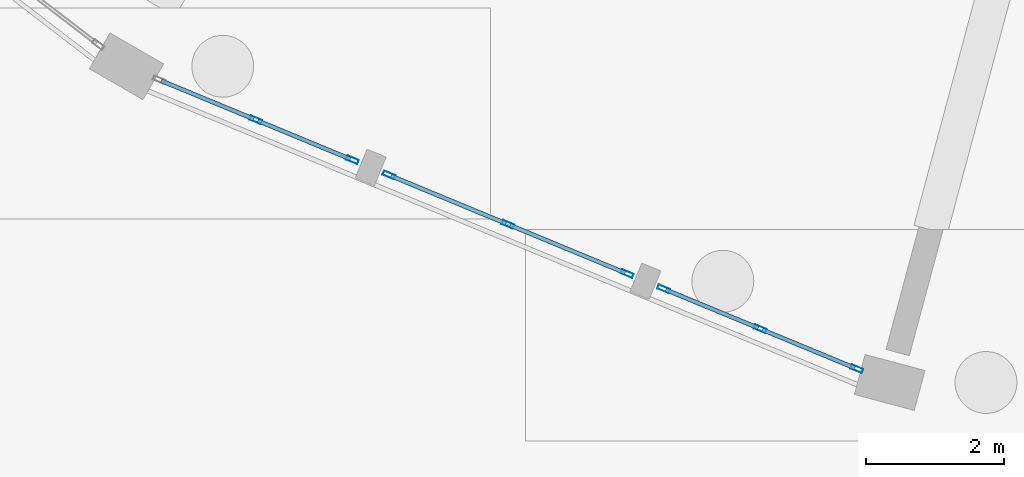
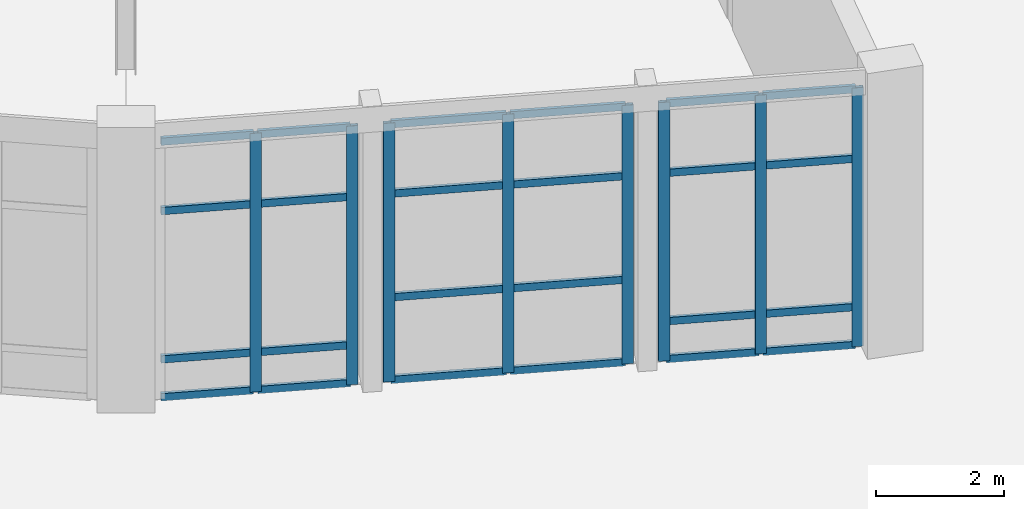
# One storey, part 36 of 137: 32 members, 3 elements without a shape of their own.
"""IFC4 building model written with IfcOpenShell, lengths in metres."""

from ifc_helpers import new_model, si_unit, direction, frame, origin, origin_2d, place, context, subcontext, project, spatial, hollow_rectangle, extrude, material, material_profile, profile_set, type_object, element, aggregate, save


model = new_model("IFC4")

# Units and contexts
model_context = context("Model", 3, precision=1e-05, world=origin(), true_north=direction((0.0, 1.0)))
body_context = subcontext(model_context, "Body", "Model", "MODEL_VIEW")
ifc_project = project(units=[si_unit("LENGTHUNIT", "METRE"), si_unit("AREAUNIT", "SQUARE_METRE"), si_unit("VOLUMEUNIT", "CUBIC_METRE"), si_unit("PLANEANGLEUNIT", "RADIAN"), si_unit("MASSUNIT", "GRAM", prefix="KILO")], contexts=[model_context])

# Site, building, storey
site_placement = place(None, origin())
site = spatial("IfcSite", under=ifc_project, at=site_placement, CompositionType="ELEMENT")
building_placement = place(site_placement, origin())
building = spatial("IfcBuilding", under=site, at=building_placement, Name="Vondelvale Polytechnic", CompositionType="ELEMENT")
storey_placement = place(building_placement, origin())
storey = spatial("IfcBuildingStorey", under=building, at=storey_placement, Name="L00", CompositionType="ELEMENT", Elevation=0.0)

# Curtain wall, members
ifc_material_1 = material(Name="Glulam GL18 structural Tasmanian oak (fb = 42 MPa)", Category="wood")
curtain_wall_type = type_object("IfcCurtainWallType", Name="CW-RING-OUTER", PredefinedType="NOTDEFINED", material=ifc_material_1)
curtain_wall_1_placement = place(storey_placement, origin())
curtain_wall_1 = element("IfcCurtainWall", 1, at=curtain_wall_1_placement, inside=storey, type_object=curtain_wall_type, Name="L00 architectural curtain wall CW-04-326", PredefinedType="NOTDEFINED")
ifc_material_2 = material(Name="Anodised extruded aluminium 6063-T6", Category="aluminium")
ifc_material_profile_1 = material_profile(ifc_material_2, hollow_rectangle(XDim=0.06494140625, YDim=0.179931640625, WallThickness=0.00390625, at=origin_2d()), Name="CW-MUL-180x65")
ifc_profile_set_1 = profile_set([ifc_material_profile_1], Name="Anodised extruded aluminium 6063-T6")
member_type_1 = type_object("IfcMemberType", Name="CW-MUL-65x180", PredefinedType="MULLION", material=ifc_profile_set_1)
member_1_placement = place(storey_placement, frame((80.880859375, 31.3837890625, 0.0), z_axis=(0.0, 0.0, 1.0), x_axis=(0.382679040691, 0.92388135159, 0.0)))
member_1 = element("IfcMember", 2, at=member_1_placement, type_object=member_type_1, Name="CW-04-326 mullion 2", PredefinedType="MULLION", context=body_context, shape_type="SweptSolid", body=[
    extrude(hollow_rectangle(XDim=0.06494140625, YDim=0.179931640625, WallThickness=0.00390625, at=origin_2d()), origin(), (0.0, 0.0, 1.0), 4.919921875),
])
member_2_placement = place(storey_placement, frame((82.28466796875, 30.80224609375, 0.0), z_axis=(0.0, 0.0, 1.0), x_axis=(0.382679040691, 0.92388135159, 0.0)))
member_2 = element("IfcMember", 3, at=member_2_placement, type_object=member_type_1, Name="CW-04-326 mullion 3", PredefinedType="MULLION", context=body_context, shape_type="SweptSolid", body=[
    extrude(hollow_rectangle(XDim=0.06494140625, YDim=0.179931640625, WallThickness=0.00390625, at=origin_2d()), origin(), (0.0, 0.0, 1.0), 4.919921875),
])

curtain_wall_2_placement = place(storey_placement, origin())
curtain_wall_2 = element("IfcCurtainWall", 4, at=curtain_wall_2_placement, inside=storey, type_object=curtain_wall_type, Name="L00 architectural curtain wall CW-04-327", PredefinedType="NOTDEFINED")
member_3_placement = place(storey_placement, frame((82.81591796875, 30.582275390625, 0.0), z_axis=(0.0, 0.0, 1.0), x_axis=(0.382694599123, 0.92387490701, 0.0)))
member_3 = element("IfcMember", 5, at=member_3_placement, type_object=member_type_1, Name="CW-04-327 mullion 1", PredefinedType="MULLION", context=body_context, shape_type="SweptSolid", body=[
    extrude(hollow_rectangle(XDim=0.06494140625, YDim=0.179931640625, WallThickness=0.00390625, at=origin_2d()), origin(), (0.0, 0.0, 1.0), 4.919921875),
])
member_4_placement = place(storey_placement, frame((84.547119140625, 29.864990234375, 0.0), z_axis=(0.0, 0.0, 1.0), x_axis=(0.382694599123, 0.92387490701, 0.0)))
member_4 = element("IfcMember", 6, at=member_4_placement, type_object=member_type_1, Name="CW-04-327 mullion 2", PredefinedType="MULLION", context=body_context, shape_type="SweptSolid", body=[
    extrude(hollow_rectangle(XDim=0.06494140625, YDim=0.179931640625, WallThickness=0.00390625, at=origin_2d()), origin(), (0.0, 0.0, 1.0), 4.919921875),
])
member_5_placement = place(storey_placement, frame((86.278564453125, 29.14794921875, 0.0), z_axis=(0.0, 0.0, 1.0), x_axis=(0.382694599123, 0.92387490701, 0.0)))
member_5 = element("IfcMember", 7, at=member_5_placement, type_object=member_type_1, Name="CW-04-327 mullion 3", PredefinedType="MULLION", context=body_context, shape_type="SweptSolid", body=[
    extrude(hollow_rectangle(XDim=0.06494140625, YDim=0.179931640625, WallThickness=0.00390625, at=origin_2d()), origin(), (0.0, 0.0, 1.0), 4.919921875),
])

curtain_wall_3_placement = place(storey_placement, origin())
curtain_wall_3 = element("IfcCurtainWall", 8, at=curtain_wall_3_placement, inside=storey, type_object=curtain_wall_type, Name="L00 architectural curtain wall CW-04-328", PredefinedType="NOTDEFINED")
member_6_placement = place(storey_placement, frame((86.809814453125, 28.927978515625, 0.0), z_axis=(0.0, 0.0, 1.0), x_axis=(0.382679040691, 0.92388135159, 0.0)))
member_6 = element("IfcMember", 9, at=member_6_placement, type_object=member_type_1, Name="CW-04-328 mullion 1", PredefinedType="MULLION", context=body_context, shape_type="SweptSolid", body=[
    extrude(hollow_rectangle(XDim=0.06494140625, YDim=0.179931640625, WallThickness=0.00390625, at=origin_2d()), origin(), (0.0, 0.0, 1.0), 4.919921875),
])
member_7_placement = place(storey_placement, frame((88.21337890625, 28.346435546875, 0.0), z_axis=(0.0, 0.0, 1.0), x_axis=(0.382679040691, 0.92388135159, 0.0)))
member_7 = element("IfcMember", 10, at=member_7_placement, type_object=member_type_1, Name="CW-04-328 mullion 2", PredefinedType="MULLION", context=body_context, shape_type="SweptSolid", body=[
    extrude(hollow_rectangle(XDim=0.06494140625, YDim=0.179931640625, WallThickness=0.00390625, at=origin_2d()), origin(), (0.0, 0.0, 1.0), 4.919921875),
])
member_8_placement = place(storey_placement, frame((89.6171875, 27.76513671875, 0.0), z_axis=(0.0, 0.0, 1.0), x_axis=(0.382679040691, 0.92388135159, 0.0)))
member_8 = element("IfcMember", 11, at=member_8_placement, type_object=member_type_1, Name="CW-04-328 mullion 3", PredefinedType="MULLION", context=body_context, shape_type="SweptSolid", body=[
    extrude(hollow_rectangle(XDim=0.06494140625, YDim=0.179931640625, WallThickness=0.00390625, at=origin_2d()), origin(), (0.0, 0.0, 1.0), 4.919921875),
])

# Member
ifc_material_profile_2 = material_profile(ifc_material_2, hollow_rectangle(XDim=0.06005859375, YDim=0.139892578125, WallThickness=0.00341796875, at=origin_2d()), Name="CW-TRN-140x60")
ifc_profile_set_2 = profile_set([ifc_material_profile_2], Name="Anodised extruded aluminium 6063-T6")
member_type_2 = type_object("IfcMemberType", Name="CW-TRN-60x140", PredefinedType="USERDEFINED", material=ifc_profile_set_2)
member_9_placement = place(storey_placement, frame((79.50732421875, 31.95263671875, 0.030029296875), z_axis=(0.92390429692, -0.38262364032, 0.0), x_axis=(0.38262364032, 0.92390429692, 0.0)))
member_9 = element("IfcMember", 12, at=member_9_placement, type_object=member_type_2, Name="CW-04-326 transom 1.1", ObjectType="TRANSOM", PredefinedType="USERDEFINED", context=body_context, shape_type="SweptSolid", body=[
    extrude(hollow_rectangle(XDim=0.06005859375, YDim=0.139892578125, WallThickness=0.00341796875, at=origin_2d()), origin(), (0.0, 0.0, 1.0), 1.4541015625),
])

member_10_placement = place(storey_placement, frame((79.50732421875, 31.95263671875, 0.75), z_axis=(0.92390429692, -0.38262364032, 0.0), x_axis=(0.38262364032, 0.92390429692, 0.0)))
member_10 = element("IfcMember", 13, at=member_10_placement, type_object=member_type_2, Name="CW-04-326 transom 1.2", ObjectType="TRANSOM", PredefinedType="USERDEFINED", context=body_context, shape_type="SweptSolid", body=[
    extrude(hollow_rectangle(XDim=0.06005859375, YDim=0.139892578125, WallThickness=0.00341796875, at=origin_2d()), origin(), (0.0, 0.0, 1.0), 1.4541015625),
])

member_11_placement = place(storey_placement, frame((79.50732421875, 31.95263671875, 3.570068359375), z_axis=(0.92390429692, -0.38262364032, 0.0), x_axis=(0.38262364032, 0.92390429692, 0.0)))
member_11 = element("IfcMember", 14, at=member_11_placement, type_object=member_type_2, Name="CW-04-326 transom 1.3", ObjectType="TRANSOM", PredefinedType="USERDEFINED", context=body_context, shape_type="SweptSolid", body=[
    extrude(hollow_rectangle(XDim=0.06005859375, YDim=0.139892578125, WallThickness=0.00341796875, at=origin_2d()), origin(), (0.0, 0.0, 1.0), 1.4541015625),
])

member_12_placement = place(storey_placement, frame((79.50732421875, 31.95263671875, 4.889892578125), z_axis=(0.92390429692, -0.38262364032, 0.0), x_axis=(0.38262364032, 0.92390429692, 0.0)))
member_12 = element("IfcMember", 15, at=member_12_placement, type_object=member_type_2, Name="CW-04-326 transom 1.4", ObjectType="TRANSOM", PredefinedType="USERDEFINED", context=body_context, shape_type="SweptSolid", body=[
    extrude(hollow_rectangle(XDim=0.06005859375, YDim=0.139892578125, WallThickness=0.00341796875, at=origin_2d()), origin(), (0.0, 0.0, 1.0), 1.4541015625),
])

member_13_placement = place(storey_placement, frame((80.910888671875, 31.371337890625, 0.030029296875), z_axis=(0.923869529365, -0.382707581205, 0.0), x_axis=(0.382707581205, 0.923869529365, 0.0)))
member_13 = element("IfcMember", 16, at=member_13_placement, type_object=member_type_2, Name="CW-04-326 transom 2.1", ObjectType="TRANSOM", PredefinedType="USERDEFINED", context=body_context, shape_type="SweptSolid", body=[
    extrude(hollow_rectangle(XDim=0.06005859375, YDim=0.139892578125, WallThickness=0.00341796875, at=origin_2d()), origin(), (0.0, 0.0, 1.0), 1.45458984375),
])

member_14_placement = place(storey_placement, frame((80.910888671875, 31.371337890625, 0.75), z_axis=(0.923869529365, -0.382707581205, 0.0), x_axis=(0.382707581205, 0.923869529365, 0.0)))
member_14 = element("IfcMember", 17, at=member_14_placement, type_object=member_type_2, Name="CW-04-326 transom 2.2", ObjectType="TRANSOM", PredefinedType="USERDEFINED", context=body_context, shape_type="SweptSolid", body=[
    extrude(hollow_rectangle(XDim=0.06005859375, YDim=0.139892578125, WallThickness=0.00341796875, at=origin_2d()), origin(), (0.0, 0.0, 1.0), 1.45458984375),
])

member_15_placement = place(storey_placement, frame((80.910888671875, 31.371337890625, 3.570068359375), z_axis=(0.923869529365, -0.382707581205, 0.0), x_axis=(0.382707581205, 0.923869529365, 0.0)))
member_15 = element("IfcMember", 18, at=member_15_placement, type_object=member_type_2, Name="CW-04-326 transom 2.3", ObjectType="TRANSOM", PredefinedType="USERDEFINED", context=body_context, shape_type="SweptSolid", body=[
    extrude(hollow_rectangle(XDim=0.06005859375, YDim=0.139892578125, WallThickness=0.00341796875, at=origin_2d()), origin(), (0.0, 0.0, 1.0), 1.45458984375),
])

member_16_placement = place(storey_placement, frame((80.910888671875, 31.371337890625, 4.889892578125), z_axis=(0.923869529365, -0.382707581205, 0.0), x_axis=(0.382707581205, 0.923869529365, 0.0)))
member_16 = element("IfcMember", 19, at=member_16_placement, type_object=member_type_2, Name="CW-04-326 transom 2.4", ObjectType="TRANSOM", PredefinedType="USERDEFINED", context=body_context, shape_type="SweptSolid", body=[
    extrude(hollow_rectangle(XDim=0.06005859375, YDim=0.139892578125, WallThickness=0.00341796875, at=origin_2d()), origin(), (0.0, 0.0, 1.0), 1.45458984375),
])

aggregate(curtain_wall_1, [member_1, member_2, member_9, member_10, member_11, member_12, member_13, member_14, member_15, member_16])

member_17_placement = place(storey_placement, frame((82.845947265625, 30.56982421875, 0.030029296875), z_axis=(0.92384573676, -0.382765012338, 0.0), x_axis=(0.382765012338, 0.92384573676, 0.0)))
member_17 = element("IfcMember", 20, at=member_17_placement, type_object=member_type_2, Name="CW-04-327 transom 1.1", ObjectType="TRANSOM", PredefinedType="USERDEFINED", context=body_context, shape_type="SweptSolid", body=[
    extrude(hollow_rectangle(XDim=0.06005859375, YDim=0.139892578125, WallThickness=0.00341796875, at=origin_2d()), origin(), (0.0, 0.0, 1.0), 1.808837890625),
])

member_18_placement = place(storey_placement, frame((82.845947265625, 30.56982421875, 1.60009765625), z_axis=(0.92384573676, -0.382765012338, 0.0), x_axis=(0.382765012338, 0.92384573676, 0.0)))
member_18 = element("IfcMember", 21, at=member_18_placement, type_object=member_type_2, Name="CW-04-327 transom 1.2", ObjectType="TRANSOM", PredefinedType="USERDEFINED", context=body_context, shape_type="SweptSolid", body=[
    extrude(hollow_rectangle(XDim=0.06005859375, YDim=0.139892578125, WallThickness=0.00341796875, at=origin_2d()), origin(), (0.0, 0.0, 1.0), 1.808837890625),
])

member_19_placement = place(storey_placement, frame((82.845947265625, 30.56982421875, 3.570068359375), z_axis=(0.92384573676, -0.382765012338, 0.0), x_axis=(0.382765012338, 0.92384573676, 0.0)))
member_19 = element("IfcMember", 22, at=member_19_placement, type_object=member_type_2, Name="CW-04-327 transom 1.3", ObjectType="TRANSOM", PredefinedType="USERDEFINED", context=body_context, shape_type="SweptSolid", body=[
    extrude(hollow_rectangle(XDim=0.06005859375, YDim=0.139892578125, WallThickness=0.00341796875, at=origin_2d()), origin(), (0.0, 0.0, 1.0), 1.808837890625),
])

member_20_placement = place(storey_placement, frame((82.845947265625, 30.56982421875, 4.889892578125), z_axis=(0.92384573676, -0.382765012338, 0.0), x_axis=(0.382765012338, 0.92384573676, 0.0)))
member_20 = element("IfcMember", 23, at=member_20_placement, type_object=member_type_2, Name="CW-04-327 transom 1.4", ObjectType="TRANSOM", PredefinedType="USERDEFINED", context=body_context, shape_type="SweptSolid", body=[
    extrude(hollow_rectangle(XDim=0.06005859375, YDim=0.139892578125, WallThickness=0.00341796875, at=origin_2d()), origin(), (0.0, 0.0, 1.0), 1.808837890625),
])

member_21_placement = place(storey_placement, frame((84.5771484375, 29.852783203125, 0.030029296875), z_axis=(0.923865506878, -0.382717291485, 0.0), x_axis=(0.382717291485, 0.923865506878, 0.0)))
member_21 = element("IfcMember", 24, at=member_21_placement, type_object=member_type_2, Name="CW-04-327 transom 2.1", ObjectType="TRANSOM", PredefinedType="USERDEFINED", context=body_context, shape_type="SweptSolid", body=[
    extrude(hollow_rectangle(XDim=0.06005859375, YDim=0.139892578125, WallThickness=0.00341796875, at=origin_2d()), origin(), (0.0, 0.0, 1.0), 1.80908203125),
])

member_22_placement = place(storey_placement, frame((84.5771484375, 29.852783203125, 1.60009765625), z_axis=(0.923865506878, -0.382717291485, 0.0), x_axis=(0.382717291485, 0.923865506878, 0.0)))
member_22 = element("IfcMember", 25, at=member_22_placement, type_object=member_type_2, Name="CW-04-327 transom 2.2", ObjectType="TRANSOM", PredefinedType="USERDEFINED", context=body_context, shape_type="SweptSolid", body=[
    extrude(hollow_rectangle(XDim=0.06005859375, YDim=0.139892578125, WallThickness=0.00341796875, at=origin_2d()), origin(), (0.0, 0.0, 1.0), 1.80908203125),
])

member_23_placement = place(storey_placement, frame((84.5771484375, 29.852783203125, 3.570068359375), z_axis=(0.923865506878, -0.382717291485, 0.0), x_axis=(0.382717291485, 0.923865506878, 0.0)))
member_23 = element("IfcMember", 26, at=member_23_placement, type_object=member_type_2, Name="CW-04-327 transom 2.3", ObjectType="TRANSOM", PredefinedType="USERDEFINED", context=body_context, shape_type="SweptSolid", body=[
    extrude(hollow_rectangle(XDim=0.06005859375, YDim=0.139892578125, WallThickness=0.00341796875, at=origin_2d()), origin(), (0.0, 0.0, 1.0), 1.80908203125),
])

member_24_placement = place(storey_placement, frame((84.5771484375, 29.852783203125, 4.889892578125), z_axis=(0.923865506878, -0.382717291485, 0.0), x_axis=(0.382717291485, 0.923865506878, 0.0)))
member_24 = element("IfcMember", 27, at=member_24_placement, type_object=member_type_2, Name="CW-04-327 transom 2.4", ObjectType="TRANSOM", PredefinedType="USERDEFINED", context=body_context, shape_type="SweptSolid", body=[
    extrude(hollow_rectangle(XDim=0.06005859375, YDim=0.139892578125, WallThickness=0.00341796875, at=origin_2d()), origin(), (0.0, 0.0, 1.0), 1.80908203125),
])

aggregate(curtain_wall_2, [member_3, member_4, member_5, member_17, member_18, member_19, member_20, member_21, member_22, member_23, member_24])

member_25_placement = place(storey_placement, frame((86.83984375, 28.91552734375, 0.030029296875), z_axis=(0.923844938863, -0.382766938144, 0.0), x_axis=(0.382766938144, 0.923844938863, 0.0)))
member_25 = element("IfcMember", 28, at=member_25_placement, type_object=member_type_2, Name="CW-04-328 transom 1.1", ObjectType="TRANSOM", PredefinedType="USERDEFINED", context=body_context, shape_type="SweptSolid", body=[
    extrude(hollow_rectangle(XDim=0.06005859375, YDim=0.139892578125, WallThickness=0.00341796875, at=origin_2d()), origin(), (0.0, 0.0, 1.0), 1.454345703125),
])

member_26_placement = place(storey_placement, frame((86.83984375, 28.91552734375, 0.75), z_axis=(0.923844938863, -0.382766938144, 0.0), x_axis=(0.382766938144, 0.923844938863, 0.0)))
member_26 = element("IfcMember", 29, at=member_26_placement, type_object=member_type_2, Name="CW-04-328 transom 1.2", ObjectType="TRANSOM", PredefinedType="USERDEFINED", context=body_context, shape_type="SweptSolid", body=[
    extrude(hollow_rectangle(XDim=0.06005859375, YDim=0.139892578125, WallThickness=0.00341796875, at=origin_2d()), origin(), (0.0, 0.0, 1.0), 1.454345703125),
])

member_27_placement = place(storey_placement, frame((86.83984375, 28.91552734375, 3.570068359375), z_axis=(0.923844938863, -0.382766938144, 0.0), x_axis=(0.382766938144, 0.923844938863, 0.0)))
member_27 = element("IfcMember", 30, at=member_27_placement, type_object=member_type_2, Name="CW-04-328 transom 1.3", ObjectType="TRANSOM", PredefinedType="USERDEFINED", context=body_context, shape_type="SweptSolid", body=[
    extrude(hollow_rectangle(XDim=0.06005859375, YDim=0.139892578125, WallThickness=0.00341796875, at=origin_2d()), origin(), (0.0, 0.0, 1.0), 1.454345703125),
])

member_28_placement = place(storey_placement, frame((86.83984375, 28.91552734375, 4.889892578125), z_axis=(0.923844938863, -0.382766938144, 0.0), x_axis=(0.382766938144, 0.923844938863, 0.0)))
member_28 = element("IfcMember", 31, at=member_28_placement, type_object=member_type_2, Name="CW-04-328 transom 1.4", ObjectType="TRANSOM", PredefinedType="USERDEFINED", context=body_context, shape_type="SweptSolid", body=[
    extrude(hollow_rectangle(XDim=0.06005859375, YDim=0.139892578125, WallThickness=0.00341796875, at=origin_2d()), origin(), (0.0, 0.0, 1.0), 1.454345703125),
])

member_29_placement = place(storey_placement, frame((88.243408203125, 28.333984375, 0.030029296875), z_axis=(0.923928870591, -0.382564297979, 0.0), x_axis=(0.382564297979, 0.923928870591, 0.0)))
member_29 = element("IfcMember", 32, at=member_29_placement, type_object=member_type_2, Name="CW-04-328 transom 2.1", ObjectType="TRANSOM", PredefinedType="USERDEFINED", context=body_context, shape_type="SweptSolid", body=[
    extrude(hollow_rectangle(XDim=0.06005859375, YDim=0.139892578125, WallThickness=0.00341796875, at=origin_2d()), origin(), (0.0, 0.0, 1.0), 1.454345703125),
])

member_30_placement = place(storey_placement, frame((88.243408203125, 28.333984375, 0.75), z_axis=(0.923928870591, -0.382564297979, 0.0), x_axis=(0.382564297979, 0.923928870591, 0.0)))
member_30 = element("IfcMember", 33, at=member_30_placement, type_object=member_type_2, Name="CW-04-328 transom 2.2", ObjectType="TRANSOM", PredefinedType="USERDEFINED", context=body_context, shape_type="SweptSolid", body=[
    extrude(hollow_rectangle(XDim=0.06005859375, YDim=0.139892578125, WallThickness=0.00341796875, at=origin_2d()), origin(), (0.0, 0.0, 1.0), 1.454345703125),
])

member_31_placement = place(storey_placement, frame((88.243408203125, 28.333984375, 3.570068359375), z_axis=(0.923928870591, -0.382564297979, 0.0), x_axis=(0.382564297979, 0.923928870591, 0.0)))
member_31 = element("IfcMember", 34, at=member_31_placement, type_object=member_type_2, Name="CW-04-328 transom 2.3", ObjectType="TRANSOM", PredefinedType="USERDEFINED", context=body_context, shape_type="SweptSolid", body=[
    extrude(hollow_rectangle(XDim=0.06005859375, YDim=0.139892578125, WallThickness=0.00341796875, at=origin_2d()), origin(), (0.0, 0.0, 1.0), 1.454345703125),
])

member_32_placement = place(storey_placement, frame((88.243408203125, 28.333984375, 4.889892578125), z_axis=(0.923928870591, -0.382564297979, 0.0), x_axis=(0.382564297979, 0.923928870591, 0.0)))
member_32 = element("IfcMember", 35, at=member_32_placement, type_object=member_type_2, Name="CW-04-328 transom 2.4", ObjectType="TRANSOM", PredefinedType="USERDEFINED", context=body_context, shape_type="SweptSolid", body=[
    extrude(hollow_rectangle(XDim=0.06005859375, YDim=0.139892578125, WallThickness=0.00341796875, at=origin_2d()), origin(), (0.0, 0.0, 1.0), 1.454345703125),
])

aggregate(curtain_wall_3, [member_6, member_7, member_8, member_25, member_26, member_27, member_28, member_29, member_30, member_31, member_32])

save(model, "model.ifc")
